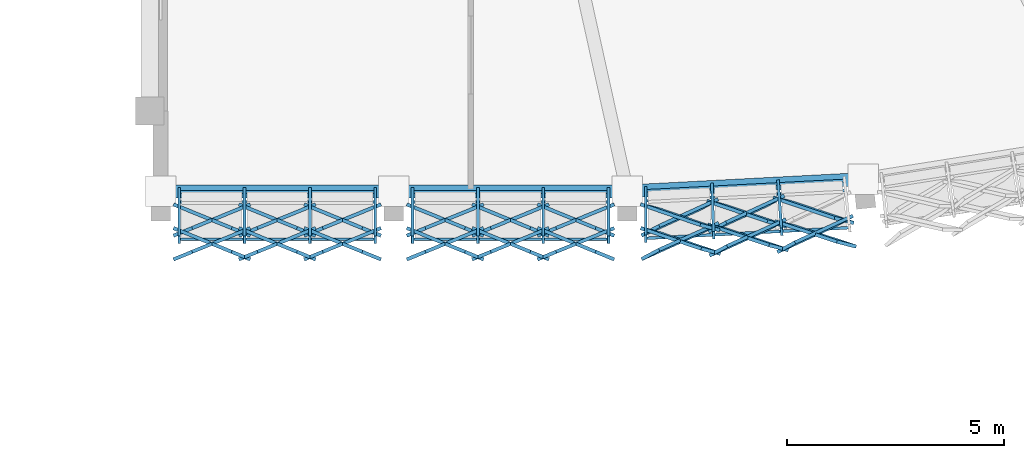
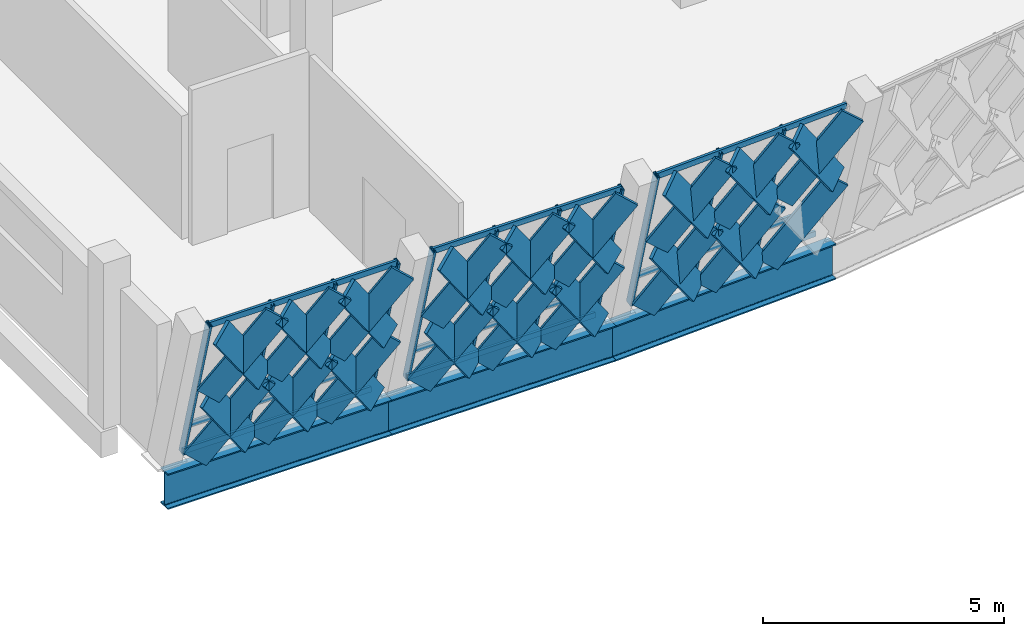
# One storey, part 50 of 182: 55 members, 3 beams, 3 elements without a shape of their own.
"""IFC4 building model written with IfcOpenShell, lengths in metres."""

from ifc_helpers import new_model, si_unit, direction, frame, origin, origin_2d, place, context, subcontext, project, spatial, rectangle, hollow_rectangle, i_section, extrude, material, material_profile, profile_set, type_object, element, aggregate, save


model = new_model("IFC4")

# Units and contexts
model_context = context("Model", 3, precision=1e-05, world=origin(), true_north=direction((0.0, 1.0)))
body_context = subcontext(model_context, "Body", "Model", "MODEL_VIEW")
ifc_project = project(units=[si_unit("LENGTHUNIT", "METRE"), si_unit("AREAUNIT", "SQUARE_METRE"), si_unit("VOLUMEUNIT", "CUBIC_METRE"), si_unit("PLANEANGLEUNIT", "RADIAN"), si_unit("MASSUNIT", "GRAM", prefix="KILO")], contexts=[model_context])

# Site, building, storey
site_placement = place(None, origin())
site = spatial("IfcSite", under=ifc_project, at=site_placement, CompositionType="ELEMENT")
building_placement = place(site_placement, origin())
building = spatial("IfcBuilding", under=site, at=building_placement, Name="Chiffa Square Polytechnic", CompositionType="ELEMENT")
storey_placement = place(building_placement, frame((0.0, 0.0, 9.60009765625)))
storey = spatial("IfcBuildingStorey", under=building, at=storey_placement, Name="L02", CompositionType="ELEMENT", Elevation=9.60009765625)

# Curtain wall, members
ifc_material_1 = material(Name="Aluminium EN AW-6060 T66 and glulam shading", Category="wood")
curtain_wall_type_1 = type_object("IfcCurtainWallType", Name="CW-PROW-LEAN-150", PredefinedType="USERDEFINED", material=ifc_material_1)
curtain_wall_1_placement = place(storey_placement, origin())
curtain_wall_1 = element("IfcCurtainWall", 1, at=curtain_wall_1_placement, inside=storey, type_object=curtain_wall_type_1, Name="Outward-leaning diamond-fin prow curtain wall CW-V1-L02-027", ObjectType="CURTAIN WALL", PredefinedType="USERDEFINED")
ifc_material_2 = material(Name="Aluminium EN AW-6060 T66", Category="aluminium")
ifc_material_profile_1 = material_profile(ifc_material_2, hollow_rectangle(XDim=0.06494140625, YDim=0.179931640625, WallThickness=0.00390625, at=origin_2d()), Name="ALU 65x180x4")
ifc_profile_set_1 = profile_set([ifc_material_profile_1], Name="Aluminium EN AW-6060 T66")
member_type_1 = type_object("IfcMemberType", Name="CWM-ALU-75X180", PredefinedType="MULLION", material=ifc_profile_set_1)
member_1_placement = place(storey_placement, frame((112.8798828125, 5.35009765625, 0.0), z_axis=(0.0, -0.272302676243, 0.962211646422), x_axis=(1.0, 0.0, 0.0)))
member_1 = element("IfcMember", 2, at=member_1_placement, type_object=member_type_1, Name="Leaning prow mullion CW-V1-L02-027-M00", PredefinedType="MULLION", context=body_context, shape_type="SweptSolid", body=[
    extrude(hollow_rectangle(XDim=0.06494140625, YDim=0.179931640625, WallThickness=0.00390625, at=origin_2d()), origin(), (0.0, 0.0, 1.0), 4.0947265625),
])
member_2_placement = place(storey_placement, frame((114.385009765625, 5.35009765625, 0.0), z_axis=(0.0, -0.272302676243, 0.962211646422), x_axis=(1.0, 0.0, 0.0)))
member_2 = element("IfcMember", 3, at=member_2_placement, type_object=member_type_1, Name="Leaning prow mullion CW-V1-L02-027-M01", PredefinedType="MULLION", context=body_context, shape_type="SweptSolid", body=[
    extrude(hollow_rectangle(XDim=0.06494140625, YDim=0.179931640625, WallThickness=0.00390625, at=origin_2d()), origin(), (0.0, 0.0, 1.0), 4.0947265625),
])
member_3_placement = place(storey_placement, frame((115.889892578125, 5.35009765625, 0.0), z_axis=(0.0, -0.272302676243, 0.962211646422), x_axis=(1.0, 0.0, 0.0)))
member_3 = element("IfcMember", 4, at=member_3_placement, type_object=member_type_1, Name="Leaning prow mullion CW-V1-L02-027-M02", PredefinedType="MULLION", context=body_context, shape_type="SweptSolid", body=[
    extrude(hollow_rectangle(XDim=0.06494140625, YDim=0.179931640625, WallThickness=0.00390625, at=origin_2d()), origin(), (0.0, 0.0, 1.0), 4.0947265625),
])
member_4_placement = place(storey_placement, frame((117.39501953125, 5.35009765625, 0.0), z_axis=(0.0, -0.272302676243, 0.962211646422), x_axis=(1.0, 0.0, 0.0)))
member_4 = element("IfcMember", 5, at=member_4_placement, type_object=member_type_1, Name="Leaning prow mullion CW-V1-L02-027-M03", PredefinedType="MULLION", context=body_context, shape_type="SweptSolid", body=[
    extrude(hollow_rectangle(XDim=0.06494140625, YDim=0.179931640625, WallThickness=0.00390625, at=origin_2d()), origin(), (0.0, 0.0, 1.0), 4.0947265625),
])

curtain_wall_type_2 = type_object("IfcCurtainWallType", Name="CW-PROW-LEAN-300", PredefinedType="USERDEFINED", material=ifc_material_1)
curtain_wall_2_placement = place(storey_placement, origin())
curtain_wall_2 = element("IfcCurtainWall", 6, at=curtain_wall_2_placement, inside=storey, type_object=curtain_wall_type_2, Name="Outward-leaning diamond-fin prow curtain wall CW-V1-L02-028", ObjectType="CURTAIN WALL", PredefinedType="USERDEFINED")
member_5_placement = place(storey_placement, frame((118.2548828125, 5.35009765625, 0.0), z_axis=(0.0, -0.272302676243, 0.962211646422), x_axis=(1.0, 0.0, 0.0)))
member_5 = element("IfcMember", 7, at=member_5_placement, type_object=member_type_1, Name="Leaning prow mullion CW-V1-L02-028-M00", PredefinedType="MULLION", context=body_context, shape_type="SweptSolid", body=[
    extrude(hollow_rectangle(XDim=0.06494140625, YDim=0.179931640625, WallThickness=0.00390625, at=origin_2d()), origin(), (0.0, 0.0, 1.0), 4.0947265625),
])
member_6_placement = place(storey_placement, frame((119.760009765625, 5.35009765625, 0.0), z_axis=(0.0, -0.272302676243, 0.962211646422), x_axis=(1.0, 0.0, 0.0)))
member_6 = element("IfcMember", 8, at=member_6_placement, type_object=member_type_1, Name="Leaning prow mullion CW-V1-L02-028-M01", PredefinedType="MULLION", context=body_context, shape_type="SweptSolid", body=[
    extrude(hollow_rectangle(XDim=0.06494140625, YDim=0.179931640625, WallThickness=0.00390625, at=origin_2d()), origin(), (0.0, 0.0, 1.0), 4.0947265625),
])
member_7_placement = place(storey_placement, frame((121.264892578125, 5.35009765625, 0.0), z_axis=(0.0, -0.272302676243, 0.962211646422), x_axis=(1.0, 0.0, 0.0)))
member_7 = element("IfcMember", 9, at=member_7_placement, type_object=member_type_1, Name="Leaning prow mullion CW-V1-L02-028-M02", PredefinedType="MULLION", context=body_context, shape_type="SweptSolid", body=[
    extrude(hollow_rectangle(XDim=0.06494140625, YDim=0.179931640625, WallThickness=0.00390625, at=origin_2d()), origin(), (0.0, 0.0, 1.0), 4.0947265625),
])
member_8_placement = place(storey_placement, frame((122.77001953125, 5.35009765625, 0.0), z_axis=(0.0, -0.272302676243, 0.962211646422), x_axis=(1.0, 0.0, 0.0)))
member_8 = element("IfcMember", 10, at=member_8_placement, type_object=member_type_1, Name="Leaning prow mullion CW-V1-L02-028-M03", PredefinedType="MULLION", context=body_context, shape_type="SweptSolid", body=[
    extrude(hollow_rectangle(XDim=0.06494140625, YDim=0.179931640625, WallThickness=0.00390625, at=origin_2d()), origin(), (0.0, 0.0, 1.0), 4.0947265625),
])

curtain_wall_3_placement = place(storey_placement, origin())
curtain_wall_3 = element("IfcCurtainWall", 11, at=curtain_wall_3_placement, inside=storey, type_object=curtain_wall_type_1, Name="Outward-leaning diamond-fin prow curtain wall CW-V1-L02-029", ObjectType="CURTAIN WALL", PredefinedType="USERDEFINED")
member_9_placement = place(storey_placement, frame((123.62890625, 5.373046875, 0.0), z_axis=(0.0, -0.272302676243, 0.962211646422), x_axis=(1.0, 0.0, 0.0)))
member_9 = element("IfcMember", 12, at=member_9_placement, type_object=member_type_1, Name="Leaning prow mullion CW-V1-L02-029-M00", PredefinedType="MULLION", context=body_context, shape_type="SweptSolid", body=[
    extrude(hollow_rectangle(XDim=0.06494140625, YDim=0.179931640625, WallThickness=0.00390625, at=origin_2d()), origin(), (0.0, 0.0, 1.0), 4.0947265625),
])
member_10_placement = place(storey_placement, frame((125.15478515625, 5.45263671875, 0.0), z_axis=(0.009481015771, -0.271848747787, 0.9622932862), x_axis=(0.999392384139, 0.034854878061, 0.0)))
member_10 = element("IfcMember", 13, at=member_10_placement, type_object=member_type_1, Name="Leaning prow mullion CW-V1-L02-029-M01", PredefinedType="MULLION", context=body_context, shape_type="SweptSolid", body=[
    extrude(hollow_rectangle(XDim=0.06494140625, YDim=0.179931640625, WallThickness=0.00390625, at=origin_2d()), origin(), (0.0, 0.0, 1.0), 4.09423828125),
])
member_11_placement = place(storey_placement, frame((126.680419921875, 5.5322265625, 0.0), z_axis=(0.019021846601, -0.271314739917, 0.962302697313), x_axis=(0.997551325122, 0.069938213783, 0.0)))
member_11 = element("IfcMember", 14, at=member_11_placement, type_object=member_type_1, Name="Leaning prow mullion CW-V1-L02-029-M02", PredefinedType="MULLION", context=body_context, shape_type="SweptSolid", body=[
    extrude(hollow_rectangle(XDim=0.06494140625, YDim=0.179931640625, WallThickness=0.00390625, at=origin_2d()), origin(), (0.0, 0.0, 1.0), 4.09423828125),
])

# Member
ifc_material_3 = material(Name="Glulam GL28h", Category="wood")
ifc_material_profile_2 = material_profile(ifc_material_3, rectangle(XDim=0.080078125, YDim=0.580078125, at=origin_2d()), Name="GL28h 80x580")
ifc_profile_set_2 = profile_set([ifc_material_profile_2], Name="Glulam GL28h")
member_type_2 = type_object("IfcMemberType", Name="CWM-GL-80X580", PredefinedType="MULLION", material=ifc_profile_set_2)
member_12_placement = place(storey_placement, frame((112.962890625, 4.964111328125, 0.039794921875), z_axis=(0.555219308586, -0.226440399874, 0.800285114618), x_axis=(0.377640053187, 0.925952477306, 0.0)))
member_12 = element("IfcMember", 15, at=member_12_placement, type_object=member_type_2, Name="Diamond glulam fin CW-V1-L02-027-DF01A", PredefinedType="MULLION", context=body_context, shape_type="SweptSolid", body=[
    extrude(rectangle(XDim=0.080078125, YDim=0.580078125, at=origin_2d()), origin(), (0.0, 0.0, 1.0), 2.411865234375),
])

member_13_placement = place(storey_placement, frame((114.302001953125, 4.964111328125, 0.039794921875), z_axis=(-0.555219308586, -0.226440399874, 0.800285114618), x_axis=(0.377640053187, -0.925952477306, 0.0)))
member_13 = element("IfcMember", 16, at=member_13_placement, type_object=member_type_2, Name="Diamond glulam fin CW-V1-L02-027-DF01B", PredefinedType="MULLION", context=body_context, shape_type="SweptSolid", body=[
    extrude(rectangle(XDim=0.080078125, YDim=0.580078125, at=origin_2d()), origin(), (0.0, 0.0, 1.0), 2.411865234375),
])

member_14_placement = place(storey_placement, frame((112.962890625, 4.41796875, 1.969970703125), z_axis=(0.555226078689, -0.226746839793, 0.80019364668), x_axis=(0.378074149495, 0.925775316955, 0.0)))
member_14 = element("IfcMember", 17, at=member_14_placement, type_object=member_type_2, Name="Diamond glulam fin CW-V1-L02-027-DF02A", PredefinedType="MULLION", context=body_context, shape_type="SweptSolid", body=[
    extrude(rectangle(XDim=0.080078125, YDim=0.580078125, at=origin_2d()), origin(), (0.0, 0.0, 1.0), 2.411865234375),
])

member_15_placement = place(storey_placement, frame((114.302001953125, 4.41796875, 1.969970703125), z_axis=(-0.555226078689, -0.226746839793, 0.80019364668), x_axis=(0.378074149495, -0.925775316955, 0.0)))
member_15 = element("IfcMember", 18, at=member_15_placement, type_object=member_type_2, Name="Diamond glulam fin CW-V1-L02-027-DF02B", PredefinedType="MULLION", context=body_context, shape_type="SweptSolid", body=[
    extrude(rectangle(XDim=0.080078125, YDim=0.580078125, at=origin_2d()), origin(), (0.0, 0.0, 1.0), 2.411865234375),
])

member_16_placement = place(storey_placement, frame((114.468017578125, 4.964111328125, 0.039794921875), z_axis=(0.555149282136, -0.226453126211, 0.800330092008), x_axis=(0.377699092468, 0.925928396556, 0.0)))
member_16 = element("IfcMember", 19, at=member_16_placement, type_object=member_type_2, Name="Diamond glulam fin CW-V1-L02-027-DF03A", PredefinedType="MULLION", context=body_context, shape_type="SweptSolid", body=[
    extrude(rectangle(XDim=0.080078125, YDim=0.580078125, at=origin_2d()), origin(), (0.0, 0.0, 1.0), 2.41162109375),
])

member_17_placement = place(storey_placement, frame((115.806884765625, 4.964111328125, 0.039794921875), z_axis=(-0.555149282136, -0.226453126211, 0.800330092008), x_axis=(0.377699092468, -0.925928396556, 0.0)))
member_17 = element("IfcMember", 20, at=member_17_placement, type_object=member_type_2, Name="Diamond glulam fin CW-V1-L02-027-DF03B", PredefinedType="MULLION", context=body_context, shape_type="SweptSolid", body=[
    extrude(rectangle(XDim=0.080078125, YDim=0.580078125, at=origin_2d()), origin(), (0.0, 0.0, 1.0), 2.41162109375),
])

member_18_placement = place(storey_placement, frame((114.468017578125, 4.41796875, 1.969970703125), z_axis=(0.555156052147, -0.226759583663, 0.800238620026), x_axis=(0.37813323402, 0.925751185432, 0.0)))
member_18 = element("IfcMember", 21, at=member_18_placement, type_object=member_type_2, Name="Diamond glulam fin CW-V1-L02-027-DF04A", PredefinedType="MULLION", context=body_context, shape_type="SweptSolid", body=[
    extrude(rectangle(XDim=0.080078125, YDim=0.580078125, at=origin_2d()), origin(), (0.0, 0.0, 1.0), 2.41162109375),
])

member_19_placement = place(storey_placement, frame((115.806884765625, 4.41796875, 1.969970703125), z_axis=(-0.555156052147, -0.226759583663, 0.800238620026), x_axis=(0.37813323402, -0.925751185432, 0.0)))
member_19 = element("IfcMember", 22, at=member_19_placement, type_object=member_type_2, Name="Diamond glulam fin CW-V1-L02-027-DF04B", PredefinedType="MULLION", context=body_context, shape_type="SweptSolid", body=[
    extrude(rectangle(XDim=0.080078125, YDim=0.580078125, at=origin_2d()), origin(), (0.0, 0.0, 1.0), 2.41162109375),
])

member_20_placement = place(storey_placement, frame((115.972900390625, 4.964111328125, 0.039794921875), z_axis=(0.555219308586, -0.226440399874, 0.800285114618), x_axis=(0.377640053187, 0.925952477306, 0.0)))
member_20 = element("IfcMember", 23, at=member_20_placement, type_object=member_type_2, Name="Diamond glulam fin CW-V1-L02-027-DF05A", PredefinedType="MULLION", context=body_context, shape_type="SweptSolid", body=[
    extrude(rectangle(XDim=0.080078125, YDim=0.580078125, at=origin_2d()), origin(), (0.0, 0.0, 1.0), 2.411865234375),
])

member_21_placement = place(storey_placement, frame((117.31201171875, 4.964111328125, 0.039794921875), z_axis=(-0.555219308586, -0.226440399874, 0.800285114618), x_axis=(0.377640053187, -0.925952477306, 0.0)))
member_21 = element("IfcMember", 24, at=member_21_placement, type_object=member_type_2, Name="Diamond glulam fin CW-V1-L02-027-DF05B", PredefinedType="MULLION", context=body_context, shape_type="SweptSolid", body=[
    extrude(rectangle(XDim=0.080078125, YDim=0.580078125, at=origin_2d()), origin(), (0.0, 0.0, 1.0), 2.411865234375),
])

member_22_placement = place(storey_placement, frame((115.972900390625, 4.41796875, 1.969970703125), z_axis=(0.555226078689, -0.226746839793, 0.80019364668), x_axis=(0.378074149495, 0.925775316955, 0.0)))
member_22 = element("IfcMember", 25, at=member_22_placement, type_object=member_type_2, Name="Diamond glulam fin CW-V1-L02-027-DF06A", PredefinedType="MULLION", context=body_context, shape_type="SweptSolid", body=[
    extrude(rectangle(XDim=0.080078125, YDim=0.580078125, at=origin_2d()), origin(), (0.0, 0.0, 1.0), 2.411865234375),
])

member_23_placement = place(storey_placement, frame((117.31201171875, 4.41796875, 1.969970703125), z_axis=(-0.555226078689, -0.226746839793, 0.80019364668), x_axis=(0.378074149495, -0.925775316955, 0.0)))
member_23 = element("IfcMember", 26, at=member_23_placement, type_object=member_type_2, Name="Diamond glulam fin CW-V1-L02-027-DF06B", PredefinedType="MULLION", context=body_context, shape_type="SweptSolid", body=[
    extrude(rectangle(XDim=0.080078125, YDim=0.580078125, at=origin_2d()), origin(), (0.0, 0.0, 1.0), 2.411865234375),
])

member_24_placement = place(storey_placement, frame((118.337890625, 4.964111328125, 0.039794921875), z_axis=(0.555219308586, -0.226440399874, 0.800285114618), x_axis=(0.377640053187, 0.925952477306, 0.0)))
member_24 = element("IfcMember", 27, at=member_24_placement, type_object=member_type_2, Name="Diamond glulam fin CW-V1-L02-028-DF01A", PredefinedType="MULLION", context=body_context, shape_type="SweptSolid", body=[
    extrude(rectangle(XDim=0.080078125, YDim=0.580078125, at=origin_2d()), origin(), (0.0, 0.0, 1.0), 2.411865234375),
])

member_25_placement = place(storey_placement, frame((119.677001953125, 4.964111328125, 0.039794921875), z_axis=(-0.555219308586, -0.226440399874, 0.800285114618), x_axis=(0.377640053187, -0.925952477306, 0.0)))
member_25 = element("IfcMember", 28, at=member_25_placement, type_object=member_type_2, Name="Diamond glulam fin CW-V1-L02-028-DF01B", PredefinedType="MULLION", context=body_context, shape_type="SweptSolid", body=[
    extrude(rectangle(XDim=0.080078125, YDim=0.580078125, at=origin_2d()), origin(), (0.0, 0.0, 1.0), 2.411865234375),
])

member_26_placement = place(storey_placement, frame((118.337890625, 4.41796875, 1.969970703125), z_axis=(0.555226078689, -0.226746839793, 0.80019364668), x_axis=(0.378074149495, 0.925775316955, 0.0)))
member_26 = element("IfcMember", 29, at=member_26_placement, type_object=member_type_2, Name="Diamond glulam fin CW-V1-L02-028-DF02A", PredefinedType="MULLION", context=body_context, shape_type="SweptSolid", body=[
    extrude(rectangle(XDim=0.080078125, YDim=0.580078125, at=origin_2d()), origin(), (0.0, 0.0, 1.0), 2.411865234375),
])

member_27_placement = place(storey_placement, frame((119.677001953125, 4.41796875, 1.969970703125), z_axis=(-0.555226078689, -0.226746839793, 0.80019364668), x_axis=(0.378074149495, -0.925775316955, 0.0)))
member_27 = element("IfcMember", 30, at=member_27_placement, type_object=member_type_2, Name="Diamond glulam fin CW-V1-L02-028-DF02B", PredefinedType="MULLION", context=body_context, shape_type="SweptSolid", body=[
    extrude(rectangle(XDim=0.080078125, YDim=0.580078125, at=origin_2d()), origin(), (0.0, 0.0, 1.0), 2.411865234375),
])

member_28_placement = place(storey_placement, frame((119.843017578125, 4.964111328125, 0.039794921875), z_axis=(0.555149282136, -0.226453126211, 0.800330092008), x_axis=(0.377699092468, 0.925928396556, 0.0)))
member_28 = element("IfcMember", 31, at=member_28_placement, type_object=member_type_2, Name="Diamond glulam fin CW-V1-L02-028-DF03A", PredefinedType="MULLION", context=body_context, shape_type="SweptSolid", body=[
    extrude(rectangle(XDim=0.080078125, YDim=0.580078125, at=origin_2d()), origin(), (0.0, 0.0, 1.0), 2.41162109375),
])

member_29_placement = place(storey_placement, frame((121.181884765625, 4.964111328125, 0.039794921875), z_axis=(-0.555149282136, -0.226453126211, 0.800330092008), x_axis=(0.377699092468, -0.925928396556, 0.0)))
member_29 = element("IfcMember", 32, at=member_29_placement, type_object=member_type_2, Name="Diamond glulam fin CW-V1-L02-028-DF03B", PredefinedType="MULLION", context=body_context, shape_type="SweptSolid", body=[
    extrude(rectangle(XDim=0.080078125, YDim=0.580078125, at=origin_2d()), origin(), (0.0, 0.0, 1.0), 2.41162109375),
])

member_30_placement = place(storey_placement, frame((119.843017578125, 4.41796875, 1.969970703125), z_axis=(0.555156052147, -0.226759583663, 0.800238620026), x_axis=(0.37813323402, 0.925751185432, 0.0)))
member_30 = element("IfcMember", 33, at=member_30_placement, type_object=member_type_2, Name="Diamond glulam fin CW-V1-L02-028-DF04A", PredefinedType="MULLION", context=body_context, shape_type="SweptSolid", body=[
    extrude(rectangle(XDim=0.080078125, YDim=0.580078125, at=origin_2d()), origin(), (0.0, 0.0, 1.0), 2.41162109375),
])

member_31_placement = place(storey_placement, frame((121.181884765625, 4.41796875, 1.969970703125), z_axis=(-0.555156052147, -0.226759583663, 0.800238620026), x_axis=(0.37813323402, -0.925751185432, 0.0)))
member_31 = element("IfcMember", 34, at=member_31_placement, type_object=member_type_2, Name="Diamond glulam fin CW-V1-L02-028-DF04B", PredefinedType="MULLION", context=body_context, shape_type="SweptSolid", body=[
    extrude(rectangle(XDim=0.080078125, YDim=0.580078125, at=origin_2d()), origin(), (0.0, 0.0, 1.0), 2.41162109375),
])

member_32_placement = place(storey_placement, frame((121.347900390625, 4.964111328125, 0.039794921875), z_axis=(0.555219308586, -0.226440399874, 0.800285114618), x_axis=(0.377640053187, 0.925952477306, 0.0)))
member_32 = element("IfcMember", 35, at=member_32_placement, type_object=member_type_2, Name="Diamond glulam fin CW-V1-L02-028-DF05A", PredefinedType="MULLION", context=body_context, shape_type="SweptSolid", body=[
    extrude(rectangle(XDim=0.080078125, YDim=0.580078125, at=origin_2d()), origin(), (0.0, 0.0, 1.0), 2.411865234375),
])

member_33_placement = place(storey_placement, frame((122.68701171875, 4.964111328125, 0.039794921875), z_axis=(-0.555219308586, -0.226440399874, 0.800285114618), x_axis=(0.377640053187, -0.925952477306, 0.0)))
member_33 = element("IfcMember", 36, at=member_33_placement, type_object=member_type_2, Name="Diamond glulam fin CW-V1-L02-028-DF05B", PredefinedType="MULLION", context=body_context, shape_type="SweptSolid", body=[
    extrude(rectangle(XDim=0.080078125, YDim=0.580078125, at=origin_2d()), origin(), (0.0, 0.0, 1.0), 2.411865234375),
])

member_34_placement = place(storey_placement, frame((121.347900390625, 4.41796875, 1.969970703125), z_axis=(0.555226078689, -0.226746839793, 0.80019364668), x_axis=(0.378074149495, 0.925775316955, 0.0)))
member_34 = element("IfcMember", 37, at=member_34_placement, type_object=member_type_2, Name="Diamond glulam fin CW-V1-L02-028-DF06A", PredefinedType="MULLION", context=body_context, shape_type="SweptSolid", body=[
    extrude(rectangle(XDim=0.080078125, YDim=0.580078125, at=origin_2d()), origin(), (0.0, 0.0, 1.0), 2.411865234375),
])

member_35_placement = place(storey_placement, frame((122.68701171875, 4.41796875, 1.969970703125), z_axis=(-0.555226078689, -0.226746839793, 0.80019364668), x_axis=(0.378074149495, -0.925775316955, 0.0)))
member_35 = element("IfcMember", 38, at=member_35_placement, type_object=member_type_2, Name="Diamond glulam fin CW-V1-L02-028-DF06B", PredefinedType="MULLION", context=body_context, shape_type="SweptSolid", body=[
    extrude(rectangle(XDim=0.080078125, YDim=0.580078125, at=origin_2d()), origin(), (0.0, 0.0, 1.0), 2.411865234375),
])

member_36_placement = place(storey_placement, frame((123.73193359375, 4.991943359375, 0.039794921875), z_axis=(0.569442949985, -0.196377045695, 0.7982297806), x_axis=(0.286076075382, 0.957688190846, 0.031524723759)))
member_36 = element("IfcMember", 39, at=member_36_placement, type_object=member_type_2, Name="Diamond glulam fin CW-V1-L02-029-DF01A", PredefinedType="MULLION", context=body_context, shape_type="SweptSolid", body=[
    extrude(rectangle(XDim=0.080078125, YDim=0.580078125, at=origin_2d()), origin(), (0.0, 0.0, 1.0), 2.41796875),
])

member_37_placement = place(storey_placement, frame((125.091064453125, 5.06298828125, 0.039794921875), z_axis=(-0.556419721738, -0.25333662812, 0.79133914734), x_axis=(0.45149497588, -0.891699768607, 0.031997022081)))
member_37 = element("IfcMember", 40, at=member_37_placement, type_object=member_type_2, Name="Diamond glulam fin CW-V1-L02-029-DF01B", PredefinedType="MULLION", context=body_context, shape_type="SweptSolid", body=[
    extrude(rectangle(XDim=0.080078125, YDim=0.580078125, at=origin_2d()), origin(), (0.0, 0.0, 1.0), 2.439208984375),
])

member_38_placement = place(storey_placement, frame((123.73388671875, 4.445068359375, 1.969970703125), z_axis=(0.574045122564, -0.194970109977, 0.795272817011), x_axis=(0.281748264457, 0.95896360778, 0.031728763426)))
member_38 = element("IfcMember", 41, at=member_38_placement, type_object=member_type_2, Name="Diamond glulam fin CW-V1-L02-029-DF02A", PredefinedType="MULLION", context=body_context, shape_type="SweptSolid", body=[
    extrude(rectangle(XDim=0.080078125, YDim=0.580078125, at=origin_2d()), origin(), (0.0, 0.0, 1.0), 2.4267578125),
])

member_39_placement = place(storey_placement, frame((125.10888671875, 4.51708984375, 1.969970703125), z_axis=(-0.561122160113, -0.252490014112, 0.788283397138), x_axis=(0.447404311175, -0.893751840111, 0.032202960129)))
member_39 = element("IfcMember", 42, at=member_39_placement, type_object=member_type_2, Name="Diamond glulam fin CW-V1-L02-029-DF02B", PredefinedType="MULLION", context=body_context, shape_type="SweptSolid", body=[
    extrude(rectangle(XDim=0.080078125, YDim=0.580078125, at=origin_2d()), origin(), (0.0, 0.0, 1.0), 2.4482421875),
])

member_40_placement = place(storey_placement, frame((125.259033203125, 5.071044921875, 0.039794921875), z_axis=(0.574538439015, -0.194864454815, 0.794942404419), x_axis=(0.281355709639, 0.959078104772, 0.031751434628)))
member_40 = element("IfcMember", 43, at=member_40_placement, type_object=member_type_2, Name="Diamond glulam fin CW-V1-L02-029-DF03A", PredefinedType="MULLION", context=body_context, shape_type="SweptSolid", body=[
    extrude(rectangle(XDim=0.080078125, YDim=0.580078125, at=origin_2d()), origin(), (0.0, 0.0, 1.0), 2.427978515625),
])

member_41_placement = place(storey_placement, frame((126.616943359375, 5.14208984375, 0.039794921875), z_axis=(-0.551022905063, -0.253792301529, 0.79496114734), x_axis=(0.455559402867, -0.889639004586, 0.031750149271)))
member_41 = element("IfcMember", 44, at=member_41_placement, type_object=member_type_2, Name="Diamond glulam fin CW-V1-L02-029-DF03B", PredefinedType="MULLION", context=body_context, shape_type="SweptSolid", body=[
    extrude(rectangle(XDim=0.080078125, YDim=0.580078125, at=origin_2d()), origin(), (0.0, 0.0, 1.0), 2.427978515625),
])

member_42_placement = place(storey_placement, frame((125.279052734375, 4.52587890625, 1.969970703125), z_axis=(0.579260622692, -0.193621093492, 0.791813111254), x_axis=(0.277277576966, 0.960257981564, 0.031964889408)))
member_42 = element("IfcMember", 45, at=member_42_placement, type_object=member_type_2, Name="Diamond glulam fin CW-V1-L02-029-DF04A", PredefinedType="MULLION", context=body_context, shape_type="SweptSolid", body=[
    extrude(rectangle(XDim=0.080078125, YDim=0.580078125, at=origin_2d()), origin(), (0.0, 0.0, 1.0), 2.437255859375),
])

member_43_placement = place(storey_placement, frame((126.654052734375, 4.597900390625, 1.969970703125), z_axis=(-0.555897793931, -0.253108779327, 0.791778749734), x_axis=(0.451528913634, -0.891683652958, 0.031967220701)))
member_43 = element("IfcMember", 46, at=member_43_placement, type_object=member_type_2, Name="Diamond glulam fin CW-V1-L02-029-DF04B", PredefinedType="MULLION", context=body_context, shape_type="SweptSolid", body=[
    extrude(rectangle(XDim=0.080078125, YDim=0.580078125, at=origin_2d()), origin(), (0.0, 0.0, 1.0), 2.4375),
])

member_44_placement = place(storey_placement, frame((126.784912109375, 5.15087890625, 0.039794921875), z_axis=(0.579813218736, -0.193504653283, 0.791437035105), x_axis=(0.276847522725, 0.960381207705, 0.031990389941)))
member_44 = element("IfcMember", 47, at=member_44_placement, type_object=member_type_2, Name="Diamond glulam fin CW-V1-L02-029-DF05A", PredefinedType="MULLION", context=body_context, shape_type="SweptSolid", body=[
    extrude(rectangle(XDim=0.080078125, YDim=0.580078125, at=origin_2d()), origin(), (0.0, 0.0, 1.0), 2.438720703125),
])

member_45_placement = place(storey_placement, frame((126.823974609375, 4.60693359375, 1.969970703125), z_axis=(0.584416863234, -0.192744889376, 0.788229876107), x_axis=(0.273606031309, 0.961302490311, 0.032206548294)))
member_45 = element("IfcMember", 48, at=member_45_placement, type_object=member_type_2, Name="Diamond glulam fin CW-V1-L02-029-DF06A", PredefinedType="MULLION", context=body_context, shape_type="SweptSolid", body=[
    extrude(rectangle(XDim=0.080078125, YDim=0.580078125, at=origin_2d()), origin(), (0.0, 0.0, 1.0), 2.448486328125),
])

member_46_placement = place(storey_placement, frame((128.198974609375, 4.678955078125, 1.969970703125), z_axis=(-0.550520463899, -0.253830981436, 0.795296832442), x_axis=(0.455935339239, -0.8894472197, 0.031727114613)))
member_46 = element("IfcMember", 49, at=member_46_placement, type_object=member_type_2, Name="Diamond glulam fin CW-V1-L02-029-DF06B", PredefinedType="MULLION", context=body_context, shape_type="SweptSolid", body=[
    extrude(rectangle(XDim=0.080078125, YDim=0.580078125, at=origin_2d()), origin(), (0.0, 0.0, 1.0), 2.4267578125),
])

ifc_material_profile_3 = material_profile(ifc_material_2, hollow_rectangle(XDim=0.06494140625, YDim=0.139892578125, WallThickness=0.00390625, at=origin_2d()), Name="ALU 65x140x4")
ifc_profile_set_3 = profile_set([ifc_material_profile_3], Name="Aluminium EN AW-6060 T66")
member_type_3 = type_object("IfcMemberType", Name="CWT-ALU-75X140", PredefinedType="USERDEFINED", material=ifc_profile_set_3)
member_47_placement = place(storey_placement, frame((112.8798828125, 5.338623046875, 0.039794921875), z_axis=(1.0, 0.0, 0.0), x_axis=(0.0, 1.0, 0.0)))
member_47 = element("IfcMember", 50, at=member_47_placement, type_object=member_type_3, Name="Leaning prow transom CW-V1-L02-027-T01", ObjectType="TRANSOM", PredefinedType="USERDEFINED", context=body_context, shape_type="SweptSolid", body=[
    extrude(hollow_rectangle(XDim=0.06494140625, YDim=0.139892578125, WallThickness=0.00390625, at=origin_2d()), origin(), (0.0, 0.0, 1.0), 4.51513671875),
])

member_48_placement = place(storey_placement, frame((112.8798828125, 5.109619140625, 0.849853515625), z_axis=(1.0, 0.0, 0.0), x_axis=(0.0, 1.0, 0.0)))
member_48 = element("IfcMember", 51, at=member_48_placement, type_object=member_type_3, Name="Leaning prow transom CW-V1-L02-027-T02", ObjectType="TRANSOM", PredefinedType="USERDEFINED", context=body_context, shape_type="SweptSolid", body=[
    extrude(hollow_rectangle(XDim=0.06494140625, YDim=0.139892578125, WallThickness=0.00390625, at=origin_2d()), origin(), (0.0, 0.0, 1.0), 4.51513671875),
])

member_49_placement = place(storey_placement, frame((112.8798828125, 4.246337890625, 3.89990234375), z_axis=(1.0, 0.0, 0.0), x_axis=(0.0, 1.0, 0.0)))
member_49 = element("IfcMember", 52, at=member_49_placement, type_object=member_type_3, Name="Leaning prow transom CW-V1-L02-027-T03", ObjectType="TRANSOM", PredefinedType="USERDEFINED", context=body_context, shape_type="SweptSolid", body=[
    extrude(hollow_rectangle(XDim=0.06494140625, YDim=0.139892578125, WallThickness=0.00390625, at=origin_2d()), origin(), (0.0, 0.0, 1.0), 4.51513671875),
])

aggregate(curtain_wall_1, [member_1, member_2, member_3, member_4, member_47, member_48, member_49, member_12, member_13, member_14, member_15, member_16, member_17, member_18, member_19, member_20, member_21, member_22, member_23])

member_50_placement = place(storey_placement, frame((118.2548828125, 5.338623046875, 0.039794921875), z_axis=(1.0, 0.0, 0.0), x_axis=(0.0, 1.0, 0.0)))
member_50 = element("IfcMember", 53, at=member_50_placement, type_object=member_type_3, Name="Leaning prow transom CW-V1-L02-028-T01", ObjectType="TRANSOM", PredefinedType="USERDEFINED", context=body_context, shape_type="SweptSolid", body=[
    extrude(hollow_rectangle(XDim=0.06494140625, YDim=0.139892578125, WallThickness=0.00390625, at=origin_2d()), origin(), (0.0, 0.0, 1.0), 4.51513671875),
])

member_51_placement = place(storey_placement, frame((118.2548828125, 5.109619140625, 0.849853515625), z_axis=(1.0, 0.0, 0.0), x_axis=(0.0, 1.0, 0.0)))
member_51 = element("IfcMember", 54, at=member_51_placement, type_object=member_type_3, Name="Leaning prow transom CW-V1-L02-028-T02", ObjectType="TRANSOM", PredefinedType="USERDEFINED", context=body_context, shape_type="SweptSolid", body=[
    extrude(hollow_rectangle(XDim=0.06494140625, YDim=0.139892578125, WallThickness=0.00390625, at=origin_2d()), origin(), (0.0, 0.0, 1.0), 4.51513671875),
])

member_52_placement = place(storey_placement, frame((118.2548828125, 4.246337890625, 3.89990234375), z_axis=(1.0, 0.0, 0.0), x_axis=(0.0, 1.0, 0.0)))
member_52 = element("IfcMember", 55, at=member_52_placement, type_object=member_type_3, Name="Leaning prow transom CW-V1-L02-028-T03", ObjectType="TRANSOM", PredefinedType="USERDEFINED", context=body_context, shape_type="SweptSolid", body=[
    extrude(hollow_rectangle(XDim=0.06494140625, YDim=0.139892578125, WallThickness=0.00390625, at=origin_2d()), origin(), (0.0, 0.0, 1.0), 4.51513671875),
])

aggregate(curtain_wall_2, [member_5, member_6, member_7, member_8, member_50, member_51, member_52, member_24, member_25, member_26, member_27, member_28, member_29, member_30, member_31, member_32, member_33, member_34, member_35])

member_53_placement = place(storey_placement, frame((123.62890625, 5.36181640625, 0.039794921875), z_axis=(0.998642870112, 0.052080879164, 0.0), x_axis=(-0.052080879164, 0.998642870112, 0.0)))
member_53 = element("IfcMember", 56, at=member_53_placement, type_object=member_type_3, Name="Leaning prow transom CW-V1-L02-029-T01", ObjectType="TRANSOM", PredefinedType="USERDEFINED", context=body_context, shape_type="SweptSolid", body=[
    extrude(hollow_rectangle(XDim=0.06494140625, YDim=0.139892578125, WallThickness=0.00390625, at=origin_2d()), origin(), (0.0, 0.0, 1.0), 4.58447265625),
])

member_54_placement = place(storey_placement, frame((123.62890625, 5.132568359375, 0.849853515625), z_axis=(0.998640419198, 0.052127853827, 0.0), x_axis=(-0.052127853827, 0.998640419198, 0.0)))
member_54 = element("IfcMember", 57, at=member_54_placement, type_object=member_type_3, Name="Leaning prow transom CW-V1-L02-029-T02", ObjectType="TRANSOM", PredefinedType="USERDEFINED", context=body_context, shape_type="SweptSolid", body=[
    extrude(hollow_rectangle(XDim=0.06494140625, YDim=0.139892578125, WallThickness=0.00390625, at=origin_2d()), origin(), (0.0, 0.0, 1.0), 4.608642578125),
])

member_55_placement = place(storey_placement, frame((123.62890625, 4.269287109375, 3.89990234375), z_axis=(0.998638703356, 0.052160714711, 0.0), x_axis=(-0.052160714711, 0.998638703356, 0.0)))
member_55 = element("IfcMember", 58, at=member_55_placement, type_object=member_type_3, Name="Leaning prow transom CW-V1-L02-029-T03", ObjectType="TRANSOM", PredefinedType="USERDEFINED", context=body_context, shape_type="SweptSolid", body=[
    extrude(hollow_rectangle(XDim=0.06494140625, YDim=0.139892578125, WallThickness=0.00390625, at=origin_2d()), origin(), (0.0, 0.0, 1.0), 4.69921875),
])

aggregate(curtain_wall_3, [member_9, member_10, member_11, member_53, member_54, member_55, member_36, member_37, member_38, member_39, member_40, member_41, member_42, member_43, member_44, member_45, member_46])

# Beams
ifc_material_4 = material(Name="Steel S355", Category="steel")
ifc_material_profile_4 = material_profile(ifc_material_4, i_section(OverallWidth=0.300048828125, OverallDepth=0.89990234375, WebThickness=0.0185546875, FlangeThickness=0.031982421875, FilletRadius=0.030029296875, at=origin_2d()), Name="HEB 900")
ifc_profile_set_4 = profile_set([ifc_material_profile_4], Name="Steel S355")
beam_type = type_object("IfcBeamType", Name="TG-STL-HEB900", PredefinedType="USERDEFINED", material=ifc_profile_set_4)
for number, where, z_axis, x_axis, name in (
    (59, (112.449951171875, 5.35009765625, -0.77001953125), (1.0, 0.0, 0.0), (0.0, 1.0, 0.0), "Prow perimeter transfer girder TG-V1-L02-01"),
    (60, (117.824951171875, 5.35009765625, -0.77001953125), (1.0, 0.0, 0.0), (0.0, 1.0, 0.0), "Prow perimeter transfer girder TG-V1-L02-02"),
):
    element("IfcBeam", number, at=place(storey_placement, frame(where, z_axis=z_axis, x_axis=x_axis)), inside=storey, type_object=beam_type, Name=name, ObjectType="TRANSFER GIRDER", PredefinedType="USERDEFINED", context=body_context, shape_type="SweptSolid", body=[
        extrude(i_section(OverallWidth=0.300048828125, OverallDepth=0.89990234375, WebThickness=0.0185546875, FlangeThickness=0.031982421875, FilletRadius=0.030029296875, at=origin_2d()), origin(), (0.0, 0.0, 1.0), 5.375),
    ])
beam_placement = place(storey_placement, frame((123.199951171875, 5.35009765625, -0.77001953125), z_axis=(0.998628835973, 0.052349288095, 0.0), x_axis=(-0.052349288095, 0.998628835973, 0.0)))
element("IfcBeam", 61, at=beam_placement, inside=storey, type_object=beam_type, Name="Prow perimeter transfer girder TG-V1-L02-03", ObjectType="TRANSFER GIRDER", PredefinedType="USERDEFINED", context=body_context, shape_type="SweptSolid", body=[
    extrude(i_section(OverallWidth=0.300048828125, OverallDepth=0.89990234375, WebThickness=0.0185546875, FlangeThickness=0.031982421875, FilletRadius=0.030029296875, at=origin_2d()), origin(), (0.0, 0.0, 1.0), 5.442626953125),
])

save(model, "model.ifc")
